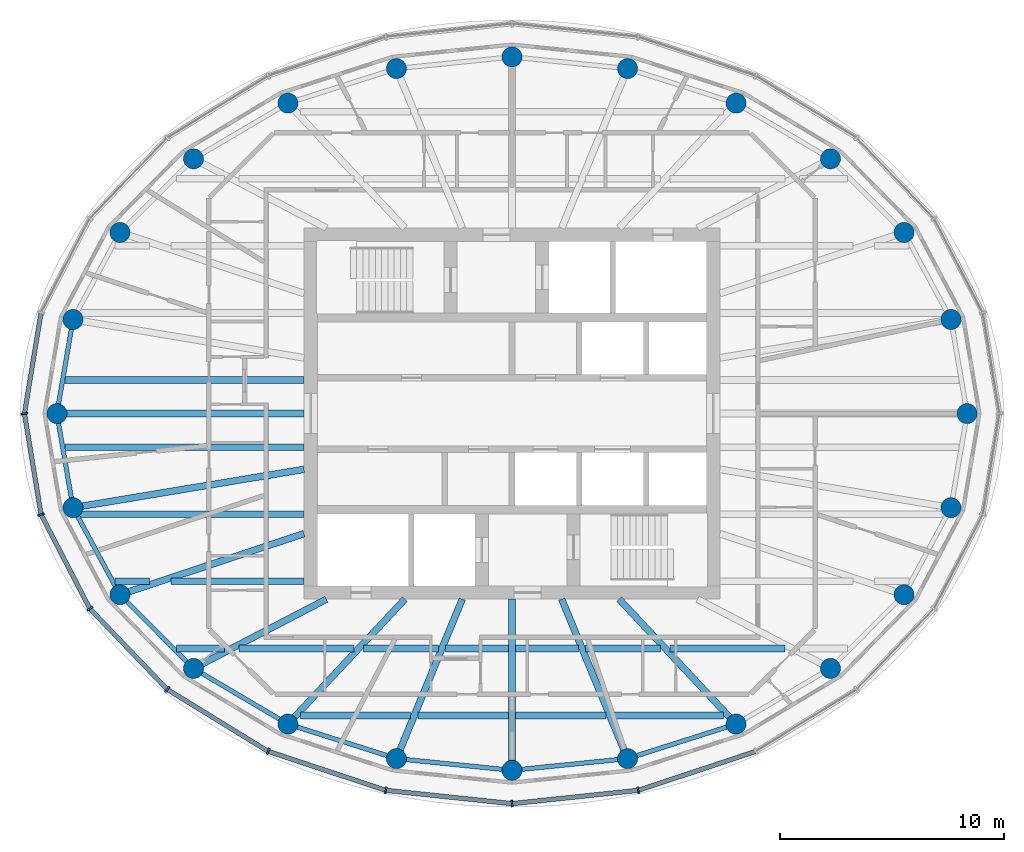
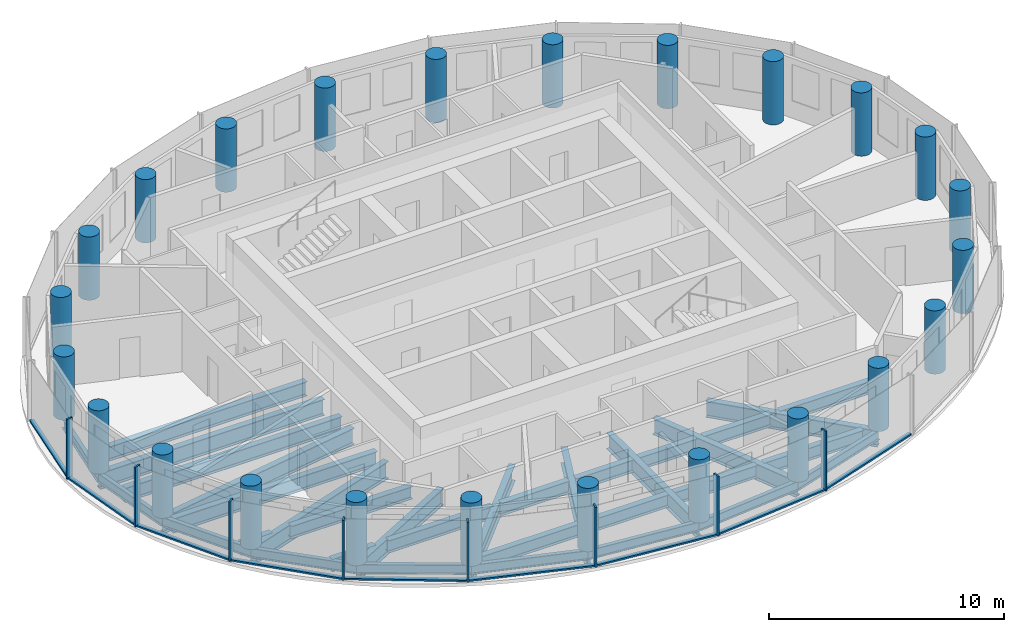
# One storey, part 1 of 11: 34 beams, 24 columns, 17 members, 3 elements without a shape of their own.
"""IFC4 building model written with IfcOpenShell, lengths in metres."""

from ifc_helpers import new_model, si_unit, direction, frame, origin, origin_2d, place, context, subcontext, project, spatial, rectangle, circle, i_section, extrude, material, material_profile, profile_set, type_object, element, aggregate, save


model = new_model("IFC4")

# Units and contexts
model_context = context("Model", 3, precision=1e-05, world=origin(), true_north=direction((0.0, 1.0)))
body_context = subcontext(model_context, "Body", "Model", "MODEL_VIEW")
ifc_project = project(units=[si_unit("LENGTHUNIT", "METRE"), si_unit("AREAUNIT", "SQUARE_METRE"), si_unit("VOLUMEUNIT", "CUBIC_METRE"), si_unit("PLANEANGLEUNIT", "RADIAN"), si_unit("MASSUNIT", "GRAM", prefix="KILO")], contexts=[model_context])

# Site, building, storey
site_placement = place(None, origin())
site = spatial("IfcSite", under=ifc_project, at=site_placement, CompositionType="ELEMENT")
building_placement = place(site_placement, origin())
building = spatial("IfcBuilding", under=site, at=building_placement, Name="Hankou Lantern Tower", CompositionType="ELEMENT")
storey_placement = place(building_placement, frame((0.0, 0.0, 196.199951171875)))
storey = spatial("IfcBuildingStorey", under=building, at=storey_placement, Name="L52", CompositionType="ELEMENT", Elevation=196.199951171875)

# Columns
ifc_material_1 = material(Name="Concrete C50", Category="concrete")
ifc_material_profile_1 = material_profile(ifc_material_1, circle(Radius=0.449951171875, at=origin_2d()), Name="RC D900")
ifc_profile_set_1 = profile_set([ifc_material_profile_1], Name="Concrete C50")
column_type = type_object("IfcColumnType", Name="TC5 PERIMETER COLUMN RC D900", PredefinedType="COLUMN", material=ifc_profile_set_1)
for number, where, z_axis, x_axis, name in (
    (1, (20.35009765625, 0.0, 0.0), (0.0, 0.0, 1.0), (1.0, 0.0, 0.0), "Column R01 L52"),
    (2, (19.629150390625, 4.207763671875, 0.0), (0.0, 0.0, 1.0), (1.0, 0.0, 0.0), "Column R02 L52"),
    (3, (17.5322265625, 8.097900390625, 0.0), (0.0, 0.0, 1.0), (1.0, 0.0, 0.0), "Column R03 L52"),
    (4, (14.241455078125, 11.393310546875, 0.0), (0.0, 0.0, 1.0), (1.0, 0.0, 0.0), "Column R04 L52"),
    (5, (10.01904296875, 13.8828125, 0.0), (0.0, 0.0, 1.0), (1.0, 0.0, 0.0), "Column R05 L52"),
    (6, (5.167236328125, 15.42724609375, 0.0), (0.0, 0.0, 1.0), (1.0, 0.0, 0.0), "Column R06 L52"),
    (7, (0.0, 15.949951171875, 0.0), (0.0, 0.0, 1.0), (1.0, 0.0, 0.0), "Column R07 L52"),
    (8, (-5.167236328125, 15.42724609375, 0.0), (0.0, 0.0, 1.0), (1.0, 0.0, 0.0), "Column R08 L52"),
    (9, (-10.01904296875, 13.8828125, 0.0), (0.0, 0.0, 1.0), (1.0, 0.0, 0.0), "Column R09 L52"),
    (10, (-14.241455078125, 11.393310546875, 0.0), (0.0, 0.0, 1.0), (1.0, 0.0, 0.0), "Column R10 L52"),
    (11, (-17.5322265625, 8.097900390625, 0.0), (0.0, 0.0, 1.0), (1.0, 0.0, 0.0), "Column R11 L52"),
    (12, (-19.629150390625, 4.207763671875, 0.0), (0.0, 0.0, 1.0), (1.0, 0.0, 0.0), "Column R12 L52"),
    (13, (-20.35009765625, 0.0, 0.0), (0.0, 0.0, 1.0), (1.0, 0.0, 0.0), "Column R13 L52"),
    (14, (-19.629150390625, -4.207763671875, 0.0), (0.0, 0.0, 1.0), (1.0, 0.0, 0.0), "Column R14 L52"),
    (15, (-17.5322265625, -8.097900390625, 0.0), (0.0, 0.0, 1.0), (1.0, 0.0, 0.0), "Column R15 L52"),
    (16, (-14.241455078125, -11.393310546875, 0.0), (0.0, 0.0, 1.0), (1.0, 0.0, 0.0), "Column R16 L52"),
    (17, (-10.01904296875, -13.8828125, 0.0), (0.0, 0.0, 1.0), (1.0, 0.0, 0.0), "Column R17 L52"),
    (18, (-5.167236328125, -15.42724609375, 0.0), (0.0, 0.0, 1.0), (1.0, 0.0, 0.0), "Column R18 L52"),
    (19, (0.0, -15.949951171875, 0.0), (0.0, 0.0, 1.0), (1.0, 0.0, 0.0), "Column R19 L52"),
    (20, (5.167236328125, -15.42724609375, 0.0), (0.0, 0.0, 1.0), (1.0, 0.0, 0.0), "Column R20 L52"),
    (21, (10.01904296875, -13.8828125, 0.0), (0.0, 0.0, 1.0), (1.0, 0.0, 0.0), "Column R21 L52"),
    (22, (14.241455078125, -11.393310546875, 0.0), (0.0, 0.0, 1.0), (1.0, 0.0, 0.0), "Column R22 L52"),
    (23, (17.5322265625, -8.097900390625, 0.0), (0.0, 0.0, 1.0), (1.0, 0.0, 0.0), "Column R23 L52"),
    (24, (19.629150390625, -4.207763671875, 0.0), (0.0, 0.0, 1.0), (1.0, 0.0, 0.0), "Column R24 L52"),
):
    element("IfcColumn", number, at=place(storey_placement, frame(where, z_axis=z_axis, x_axis=x_axis)), inside=storey, type_object=column_type, Name=name, PredefinedType="COLUMN", context=body_context, shape_type="SweptSolid", body=[
        extrude(circle(Radius=0.449951171875, at=origin_2d()), origin(), (0.0, 0.0, 1.0), 3.300048828125),
    ])

# Beams
ifc_material_2 = material(Name="Steel Q355B", Category="steel")
ifc_material_profile_2 = material_profile(ifc_material_2, i_section(OverallWidth=0.199951171875, OverallDepth=0.5, WebThickness=0.010009765625, FlangeThickness=0.01611328125, FilletRadius=0.012939453125, at=origin_2d()), Name="HN500x200x10x16")
ifc_profile_set_2 = profile_set([ifc_material_profile_2], Name="Steel Q355B")
beam_type_1 = type_object("IfcBeamType", Name="EB5 RING BEAM HN500x200x10x16", PredefinedType="SPANDREL", material=ifc_profile_set_2)
for number, where, z_axis, x_axis, name in (
    (25, (-19.629150390625, 4.207763671875, -0.429931640625), (-0.168876512999, -0.98563721691, 0.0), (0.98563721691, -0.168876512999, 0.0), "Ring beam R12-R13 L52"),
    (26, (-20.35009765625, 0.0, -0.429931640625), (0.168876512999, -0.98563721691, 0.0), (0.98563721691, 0.168876512999, 0.0), "Ring beam R13-R14 L52"),
):
    element("IfcBeam", number, at=place(storey_placement, frame(where, z_axis=z_axis, x_axis=x_axis)), inside=storey, type_object=beam_type_1, Name=name, PredefinedType="SPANDREL", context=body_context, shape_type="SweptSolid", body=[
        extrude(i_section(OverallWidth=0.199951171875, OverallDepth=0.5, WebThickness=0.010009765625, FlangeThickness=0.01611328125, FilletRadius=0.012939453125, at=origin_2d()), origin(), (0.0, 0.0, 1.0), 4.26904296875),
    ])
beam_1_placement = place(storey_placement, frame((-19.629150390625, -4.207763671875, -0.429931640625), z_axis=(0.474491806611, -0.880259919262, 0.0), x_axis=(0.880259919262, 0.474491806611, 0.0)))
element("IfcBeam", 27, at=beam_1_placement, inside=storey, type_object=beam_type_1, Name="Ring beam R14-R15 L52", PredefinedType="SPANDREL", context=body_context, shape_type="SweptSolid", body=[
    extrude(i_section(OverallWidth=0.199951171875, OverallDepth=0.5, WebThickness=0.010009765625, FlangeThickness=0.01611328125, FilletRadius=0.012939453125, at=origin_2d()), origin(), (0.0, 0.0, 1.0), 4.419189453125),
])
beam_2_placement = place(storey_placement, frame((-17.5322265625, -8.097900390625, -0.429931640625), z_axis=(0.706608588034, -0.707604623583, 0.0), x_axis=(0.707604623583, 0.706608588034, 0.0)))
element("IfcBeam", 28, at=beam_2_placement, inside=storey, type_object=beam_type_1, Name="Ring beam R15-R16 L52", PredefinedType="SPANDREL", context=body_context, shape_type="SweptSolid", body=[
    extrude(i_section(OverallWidth=0.199951171875, OverallDepth=0.5, WebThickness=0.010009765625, FlangeThickness=0.01611328125, FilletRadius=0.012939453125, at=origin_2d()), origin(), (0.0, 0.0, 1.0), 4.6572265625),
])
beam_3_placement = place(storey_placement, frame((-14.241455078125, -11.393310546875, -0.429931640625), z_axis=(0.861422897323, -0.507888365655, 0.0), x_axis=(0.507888365655, 0.861422897323, 0.0)))
element("IfcBeam", 29, at=beam_3_placement, inside=storey, type_object=beam_type_1, Name="Ring beam R16-R17 L52", PredefinedType="SPANDREL", context=body_context, shape_type="SweptSolid", body=[
    extrude(i_section(OverallWidth=0.199951171875, OverallDepth=0.5, WebThickness=0.010009765625, FlangeThickness=0.01611328125, FilletRadius=0.012939453125, at=origin_2d()), origin(), (0.0, 0.0, 1.0), 4.901611328125),
])
beam_4_placement = place(storey_placement, frame((-10.01904296875, -13.8828125, -0.429931640625), z_axis=(0.952887359315, -0.303324381574, 0.0), x_axis=(0.303324381574, 0.952887359315, 0.0)))
element("IfcBeam", 30, at=beam_4_placement, inside=storey, type_object=beam_type_1, Name="Ring beam R17-R18 L52", PredefinedType="SPANDREL", context=body_context, shape_type="SweptSolid", body=[
    extrude(i_section(OverallWidth=0.199951171875, OverallDepth=0.5, WebThickness=0.010009765625, FlangeThickness=0.01611328125, FilletRadius=0.012939453125, at=origin_2d()), origin(), (0.0, 0.0, 1.0), 5.091796875),
])
for number, where, z_axis, x_axis, name in (
    (31, (-5.167236328125, -15.42724609375, -0.429931640625), (0.994922507736, -0.100643944676, 0.0), (0.100643944676, 0.994922507736, 0.0), "Ring beam R18-R19 L52"),
    (32, (0.0, -15.949951171875, -0.429931640625), (0.994922507736, 0.100643944676, 0.0), (-0.100643944676, 0.994922507736, 0.0), "Ring beam R19-R20 L52"),
):
    element("IfcBeam", number, at=place(storey_placement, frame(where, z_axis=z_axis, x_axis=x_axis)), inside=storey, type_object=beam_type_1, Name=name, PredefinedType="SPANDREL", context=body_context, shape_type="SweptSolid", body=[
        extrude(i_section(OverallWidth=0.199951171875, OverallDepth=0.5, WebThickness=0.010009765625, FlangeThickness=0.01611328125, FilletRadius=0.012939453125, at=origin_2d()), origin(), (0.0, 0.0, 1.0), 5.193603515625),
    ])
beam_5_placement = place(storey_placement, frame((5.167236328125, -15.42724609375, -0.429931640625), z_axis=(0.952887359315, 0.303324381574, 0.0), x_axis=(-0.303324381574, 0.952887359315, 0.0)))
element("IfcBeam", 33, at=beam_5_placement, inside=storey, type_object=beam_type_1, Name="Ring beam R20-R21 L52", PredefinedType="SPANDREL", context=body_context, shape_type="SweptSolid", body=[
    extrude(i_section(OverallWidth=0.199951171875, OverallDepth=0.5, WebThickness=0.010009765625, FlangeThickness=0.01611328125, FilletRadius=0.012939453125, at=origin_2d()), origin(), (0.0, 0.0, 1.0), 5.091796875),
])

# Curtain wall, members
ifc_material_3 = material(Name="Glass, dark grey tinted laminated", Category="glass")
curtain_wall_type = type_object("IfcCurtainWallType", Name="CWD OUTER SKIN SUITE", PredefinedType="USERDEFINED", material=ifc_material_3)
curtain_wall_1_placement = place(storey_placement, origin())
curtain_wall_1 = element("IfcCurtainWall", 34, at=curtain_wall_1_placement, inside=storey, type_object=curtain_wall_type, Name="CWD L52 OS3", ObjectType="OUTER SKIN SUITE", PredefinedType="USERDEFINED")
ifc_material_4 = material(Name="Aluminium, black anodised", Category="aluminium")
ifc_material_profile_3 = material_profile(ifc_material_4, rectangle(XDim=0.080078125, YDim=0.300048828125, at=origin_2d()), Name="MU1 80X300")
ifc_profile_set_3 = profile_set([ifc_material_profile_3], Name="Aluminium, black anodised")
member_type_1 = type_object("IfcMemberType", Name="MU1 OUTER SKIN MULLION 80X300", PredefinedType="MULLION", material=ifc_profile_set_3)
member_1_placement = place(storey_placement, frame((-21.800048828125, 0.0, 0.0), z_axis=(0.0, 0.0, 1.0), x_axis=(0.162381515188, -0.986728049427, 0.0)))
member_1 = element("IfcMember", 35, at=member_1_placement, type_object=member_type_1, Name="CWD mullion 1", PredefinedType="MULLION", context=body_context, shape_type="SweptSolid", body=[
    extrude(rectangle(XDim=0.080078125, YDim=0.300048828125, at=origin_2d()), origin(), (0.0, 0.0, 1.0), 3.1201171875),
])
member_2_placement = place(storey_placement, frame((-21.05712890625, -4.513916015625, 0.0), z_axis=(0.0, 0.0, 1.0), x_axis=(0.317595577365, -0.94822626479, 0.0)))
member_2 = element("IfcMember", 36, at=member_2_placement, type_object=member_type_1, Name="CWD mullion 2", PredefinedType="MULLION", context=body_context, shape_type="SweptSolid", body=[
    extrude(rectangle(XDim=0.080078125, YDim=0.300048828125, at=origin_2d()), origin(), (0.0, 0.0, 1.0), 3.1201171875),
])
member_3_placement = place(storey_placement, frame((-18.87939453125, -8.719970703125, 0.0), z_axis=(0.0, 0.0, 1.0), x_axis=(0.585205735974, -0.810884854084, 0.0)))
member_3 = element("IfcMember", 37, at=member_3_placement, type_object=member_type_1, Name="CWD mullion 3", PredefinedType="MULLION", context=body_context, shape_type="SweptSolid", body=[
    extrude(rectangle(XDim=0.080078125, YDim=0.300048828125, at=origin_2d()), origin(), (0.0, 0.0, 1.0), 3.1201171875),
])
member_4_placement = place(storey_placement, frame((-15.4150390625, -12.33203125, 0.0), z_axis=(0.0, 0.0, 1.0), x_axis=(0.780868809444, -0.624695047553, 0.0)))
member_4 = element("IfcMember", 38, at=member_4_placement, type_object=member_type_1, Name="CWD mullion 4", PredefinedType="MULLION", context=body_context, shape_type="SweptSolid", body=[
    extrude(rectangle(XDim=0.080078125, YDim=0.300048828125, at=origin_2d()), origin(), (0.0, 0.0, 1.0), 3.1201171875),
])
member_5_placement = place(storey_placement, frame((-10.89990234375, -15.103515625, 0.0), z_axis=(0.0, 0.0, 1.0), x_axis=(0.907841299004, -0.419313934686, 0.0)))
member_5 = element("IfcMember", 39, at=member_5_placement, type_object=member_type_1, Name="CWD mullion 5", PredefinedType="MULLION", context=body_context, shape_type="SweptSolid", body=[
    extrude(rectangle(XDim=0.080078125, YDim=0.300048828125, at=origin_2d()), origin(), (0.0, 0.0, 1.0), 3.1201171875),
])
member_6_placement = place(storey_placement, frame((-5.642333984375, -16.845703125, 0.0), z_axis=(0.0, 0.0, 1.0), x_axis=(0.977787659625, -0.209597931016, 0.0)))
member_6 = element("IfcMember", 40, at=member_6_placement, type_object=member_type_1, Name="CWD mullion 6", PredefinedType="MULLION", context=body_context, shape_type="SweptSolid", body=[
    extrude(rectangle(XDim=0.080078125, YDim=0.300048828125, at=origin_2d()), origin(), (0.0, 0.0, 1.0), 3.1201171875),
])

curtain_wall_2_placement = place(storey_placement, origin())
curtain_wall_2 = element("IfcCurtainWall", 41, at=curtain_wall_2_placement, inside=storey, type_object=curtain_wall_type, Name="CWD L52 OS4", ObjectType="OUTER SKIN SUITE", PredefinedType="USERDEFINED")
member_7_placement = place(storey_placement, frame((0.0, -17.43994140625, 0.0), z_axis=(0.0, 0.0, 1.0), x_axis=(0.994499359107, 0.104742659579, 0.0)))
member_7 = element("IfcMember", 42, at=member_7_placement, type_object=member_type_1, Name="CWD mullion 1", PredefinedType="MULLION", context=body_context, shape_type="SweptSolid", body=[
    extrude(rectangle(XDim=0.080078125, YDim=0.300048828125, at=origin_2d()), origin(), (0.0, 0.0, 1.0), 3.1201171875),
])
member_8_placement = place(storey_placement, frame((5.642333984375, -16.845703125, 0.0), z_axis=(0.0, 0.0, 1.0), x_axis=(0.977787659625, 0.209597931016, 0.0)))
member_8 = element("IfcMember", 43, at=member_8_placement, type_object=member_type_1, Name="CWD mullion 2", PredefinedType="MULLION", context=body_context, shape_type="SweptSolid", body=[
    extrude(rectangle(XDim=0.080078125, YDim=0.300048828125, at=origin_2d()), origin(), (0.0, 0.0, 1.0), 3.1201171875),
])

# Beams
ifc_material_5 = material(Name="Steel Q355B", Category="steel")
ifc_material_profile_4 = material_profile(ifc_material_5, i_section(OverallWidth=0.300048828125, OverallDepth=0.85009765625, WebThickness=0.01611328125, FlangeThickness=0.027099609375, FilletRadius=0.01806640625, at=origin_2d()), Name="HN850x300x16x27")
ifc_profile_set_4 = profile_set([ifc_material_profile_4], Name="Steel Q355B")
beam_type_2 = type_object("IfcBeamType", Name="RB12 RADIAL BEAM HN850x300x16x27", PredefinedType="BEAM", material=ifc_profile_set_4)
beam_6_placement = place(storey_placement, frame((-9.300048828125, 0.0, -0.60498046875), z_axis=(-1.0, 0.0, 0.0), x_axis=(0.0, -1.0, 0.0)))
element("IfcBeam", 44, at=beam_6_placement, inside=storey, type_object=beam_type_2, Name="Radial beam R13 L52", PredefinedType="BEAM", context=body_context, shape_type="SweptSolid", body=[
    extrude(i_section(OverallWidth=0.300048828125, OverallDepth=0.85009765625, WebThickness=0.01611328125, FlangeThickness=0.027099609375, FilletRadius=0.01806640625, at=origin_2d()), origin(), (0.0, 0.0, 1.0), 11.050048828125),
])
beam_7_placement = place(storey_placement, frame((-9.300048828125, -2.491943359375, -0.60498046875), z_axis=(-0.986482007061, -0.163869612027, 0.0), x_axis=(0.163869612027, -0.986482007061, 0.0)))
element("IfcBeam", 45, at=beam_7_placement, inside=storey, type_object=beam_type_2, Name="Radial beam R14 L52", PredefinedType="BEAM", context=body_context, shape_type="SweptSolid", body=[
    extrude(i_section(OverallWidth=0.300048828125, OverallDepth=0.85009765625, WebThickness=0.01611328125, FlangeThickness=0.027099609375, FilletRadius=0.01806640625, at=origin_2d()), origin(), (0.0, 0.0, 1.0), 10.470703125),
])
beam_8_placement = place(storey_placement, frame((-8.300048828125, -8.300048828125, -0.60498046875), z_axis=(-0.886988734783, -0.461791061378, 0.0), x_axis=(0.461791061378, -0.886988734783, 0.0)))
element("IfcBeam", 46, at=beam_8_placement, inside=storey, type_object=beam_type_2, Name="Radial beam R16 L52", PredefinedType="BEAM", context=body_context, shape_type="SweptSolid", body=[
    extrude(i_section(OverallWidth=0.300048828125, OverallDepth=0.85009765625, WebThickness=0.01611328125, FlangeThickness=0.027099609375, FilletRadius=0.01806640625, at=origin_2d()), origin(), (0.0, 0.0, 1.0), 6.698486328125),
])
beam_9_placement = place(storey_placement, frame((-4.7919921875, -8.300048828125, -0.60498046875), z_axis=(-0.68346844743, -0.729980055459, 0.0), x_axis=(0.729980055459, -0.68346844743, 0.0)))
element("IfcBeam", 47, at=beam_9_placement, inside=storey, type_object=beam_type_2, Name="Radial beam R17 L52", PredefinedType="BEAM", context=body_context, shape_type="SweptSolid", body=[
    extrude(i_section(OverallWidth=0.300048828125, OverallDepth=0.85009765625, WebThickness=0.01611328125, FlangeThickness=0.027099609375, FilletRadius=0.01806640625, at=origin_2d()), origin(), (0.0, 0.0, 1.0), 7.64794921875),
])
beam_10_placement = place(storey_placement, frame((-2.223876953125, -8.300048828125, -0.60498046875), z_axis=(-0.381706648123, -0.924283525104, 0.0), x_axis=(0.924283525104, -0.381706648123, 0.0)))
element("IfcBeam", 48, at=beam_10_placement, inside=storey, type_object=beam_type_2, Name="Radial beam R18 L52", PredefinedType="BEAM", context=body_context, shape_type="SweptSolid", body=[
    extrude(i_section(OverallWidth=0.300048828125, OverallDepth=0.85009765625, WebThickness=0.01611328125, FlangeThickness=0.027099609375, FilletRadius=0.01806640625, at=origin_2d()), origin(), (0.0, 0.0, 1.0), 7.7109375),
])
beam_11_placement = place(storey_placement, frame((0.0, -8.300048828125, -0.60498046875), z_axis=(0.0, -1.0, 0.0), x_axis=(1.0, 0.0, 0.0)))
element("IfcBeam", 49, at=beam_11_placement, inside=storey, type_object=beam_type_2, Name="Radial beam R19 L52", PredefinedType="BEAM", context=body_context, shape_type="SweptSolid", body=[
    extrude(i_section(OverallWidth=0.300048828125, OverallDepth=0.85009765625, WebThickness=0.01611328125, FlangeThickness=0.027099609375, FilletRadius=0.01806640625, at=origin_2d()), origin(), (0.0, 0.0, 1.0), 7.64990234375),
])
beam_12_placement = place(storey_placement, frame((2.223876953125, -8.300048828125, -0.60498046875), z_axis=(0.381706648123, -0.924283525104, 0.0), x_axis=(0.924283525104, 0.381706648123, 0.0)))
element("IfcBeam", 50, at=beam_12_placement, inside=storey, type_object=beam_type_2, Name="Radial beam R20 L52", PredefinedType="BEAM", context=body_context, shape_type="SweptSolid", body=[
    extrude(i_section(OverallWidth=0.300048828125, OverallDepth=0.85009765625, WebThickness=0.01611328125, FlangeThickness=0.027099609375, FilletRadius=0.01806640625, at=origin_2d()), origin(), (0.0, 0.0, 1.0), 7.7109375),
])
beam_13_placement = place(storey_placement, frame((4.7919921875, -8.300048828125, -0.60498046875), z_axis=(0.68346844743, -0.729980055459, 0.0), x_axis=(0.729980055459, 0.68346844743, 0.0)))
element("IfcBeam", 51, at=beam_13_placement, inside=storey, type_object=beam_type_2, Name="Radial beam R21 L52", PredefinedType="BEAM", context=body_context, shape_type="SweptSolid", body=[
    extrude(i_section(OverallWidth=0.300048828125, OverallDepth=0.85009765625, WebThickness=0.01611328125, FlangeThickness=0.027099609375, FilletRadius=0.01806640625, at=origin_2d()), origin(), (0.0, 0.0, 1.0), 7.64794921875),
])
ifc_material_6 = material(Name="Steel Q355B", Category="steel")
ifc_material_profile_5 = material_profile(ifc_material_6, i_section(OverallWidth=0.300048828125, OverallDepth=0.89990234375, WebThickness=0.01611328125, FlangeThickness=0.028076171875, FilletRadius=0.01806640625, at=origin_2d()), Name="HN900x300x16x28")
ifc_profile_set_5 = profile_set([ifc_material_profile_5], Name="Steel Q355B")
beam_type_3 = type_object("IfcBeamType", Name="RB13 RADIAL BEAM HN900x300x16x28", PredefinedType="BEAM", material=ifc_profile_set_5)
beam_14_placement = place(storey_placement, frame((-9.300048828125, -5.369384765625, -0.6298828125), z_axis=(-0.949219608576, -0.314614263337, 0.0), x_axis=(0.314614263337, -0.949219608576, 0.0)))
element("IfcBeam", 52, at=beam_14_placement, inside=storey, type_object=beam_type_3, Name="Radial beam R15 L52", PredefinedType="BEAM", context=body_context, shape_type="SweptSolid", body=[
    extrude(i_section(OverallWidth=0.300048828125, OverallDepth=0.89990234375, WebThickness=0.01611328125, FlangeThickness=0.028076171875, FilletRadius=0.01806640625, at=origin_2d()), origin(), (0.0, 0.0, 1.0), 8.672607421875),
])
ifc_material_7 = material(Name="Steel Q355B", Category="steel")
ifc_material_profile_6 = material_profile(ifc_material_7, i_section(OverallWidth=0.300048828125, OverallDepth=0.75, WebThickness=0.012939453125, FlangeThickness=0.02392578125, FilletRadius=0.01806640625, at=origin_2d()), Name="HN750x300x13x24")
ifc_profile_set_6 = profile_set([ifc_material_profile_6], Name="Steel Q355B")
beam_type_4 = type_object("IfcBeamType", Name="SB10 SECONDARY BEAM HN750x300x13x24", PredefinedType="JOIST", material=ifc_profile_set_6)
beam_15_placement = place(storey_placement, frame((-19.35791015625, -4.5, -0.554931640625), z_axis=(1.0, 0.0, 0.0), x_axis=(0.0, 1.0, 0.0)))
element("IfcBeam", 53, at=beam_15_placement, inside=storey, type_object=beam_type_4, Name="Floor joist J017 L52", PredefinedType="JOIST", context=body_context, shape_type="SweptSolid", body=[
    extrude(i_section(OverallWidth=0.300048828125, OverallDepth=0.75, WebThickness=0.012939453125, FlangeThickness=0.02392578125, FilletRadius=0.01806640625, at=origin_2d()), origin(), (0.0, 0.0, 1.0), 10.057861328125),
])
for number, where, z_axis, x_axis, name in (
    (54, (-19.991455078125, -1.5, -0.554931640625), (1.0, 0.0, 0.0), (0.0, 1.0, 0.0), "Floor joist J019 L52"),
    (55, (-19.991455078125, 1.5, -0.554931640625), (1.0, 0.0, 0.0), (0.0, 1.0, 0.0), "Floor joist J021 L52"),
):
    element("IfcBeam", number, at=place(storey_placement, frame(where, z_axis=z_axis, x_axis=x_axis)), inside=storey, type_object=beam_type_4, Name=name, PredefinedType="JOIST", context=body_context, shape_type="SweptSolid", body=[
        extrude(i_section(OverallWidth=0.300048828125, OverallDepth=0.75, WebThickness=0.012939453125, FlangeThickness=0.02392578125, FilletRadius=0.01806640625, at=origin_2d()), origin(), (0.0, 0.0, 1.0), 10.69140625),
    ])
ifc_material_8 = material(Name="Steel Q355B", Category="steel")
ifc_material_profile_7 = material_profile(ifc_material_8, i_section(OverallWidth=0.300048828125, OverallDepth=0.64990234375, WebThickness=0.010986328125, FlangeThickness=0.01708984375, FilletRadius=0.01806640625, at=origin_2d()), Name="HN650x300x11x17")
ifc_profile_set_7 = profile_set([ifc_material_profile_7], Name="Steel Q355B")
beam_type_5 = type_object("IfcBeamType", Name="SB8 SECONDARY BEAM HN650x300x11x17", PredefinedType="JOIST", material=ifc_profile_set_7)
beam_16_placement = place(storey_placement, frame((-9.455078125, -13.5, -0.5048828125), z_axis=(1.0, 0.0, 0.0), x_axis=(0.0, 1.0, 0.0)))
element("IfcBeam", 56, at=beam_16_placement, inside=storey, type_object=beam_type_5, Name="Floor joist J001 L52", PredefinedType="JOIST", context=body_context, shape_type="SweptSolid", body=[
    extrude(i_section(OverallWidth=0.300048828125, OverallDepth=0.64990234375, WebThickness=0.010986328125, FlangeThickness=0.01708984375, FilletRadius=0.01806640625, at=origin_2d()), origin(), (0.0, 0.0, 1.0), 4.92138671875),
])
for number, where, z_axis, x_axis, name in (
    (57, (-4.208984375, -13.5, -0.5048828125), (1.0, 0.0, 0.0), (0.0, 1.0, 0.0), "Floor joist J002 L52"),
    (58, (0.14990234375, -13.5, -0.5048828125), (1.0, 0.0, 0.0), (0.0, 1.0, 0.0), "Floor joist J003 L52"),
):
    element("IfcBeam", number, at=place(storey_placement, frame(where, z_axis=z_axis, x_axis=x_axis)), inside=storey, type_object=beam_type_5, Name=name, PredefinedType="JOIST", context=body_context, shape_type="SweptSolid", body=[
        extrude(i_section(OverallWidth=0.300048828125, OverallDepth=0.64990234375, WebThickness=0.010986328125, FlangeThickness=0.01708984375, FilletRadius=0.01806640625, at=origin_2d()), origin(), (0.0, 0.0, 1.0), 4.05908203125),
    ])
beam_17_placement = place(storey_placement, frame((4.53369140625, -13.5, -0.5048828125), z_axis=(1.0, 0.0, 0.0), x_axis=(0.0, 1.0, 0.0)))
element("IfcBeam", 59, at=beam_17_placement, inside=storey, type_object=beam_type_5, Name="Floor joist J004 L52", PredefinedType="JOIST", context=body_context, shape_type="SweptSolid", body=[
    extrude(i_section(OverallWidth=0.300048828125, OverallDepth=0.64990234375, WebThickness=0.010986328125, FlangeThickness=0.01708984375, FilletRadius=0.01806640625, at=origin_2d()), origin(), (0.0, 0.0, 1.0), 4.92138671875),
])
beam_18_placement = place(storey_placement, frame((-14.9921875, -10.5, -0.5048828125), z_axis=(1.0, 0.0, 0.0), x_axis=(0.0, 1.0, 0.0)))
element("IfcBeam", 60, at=beam_18_placement, inside=storey, type_object=beam_type_5, Name="Floor joist J005 L52", PredefinedType="JOIST", context=body_context, shape_type="SweptSolid", body=[
    extrude(i_section(OverallWidth=0.300048828125, OverallDepth=0.64990234375, WebThickness=0.010986328125, FlangeThickness=0.01708984375, FilletRadius=0.01806640625, at=origin_2d()), origin(), (0.0, 0.0, 1.0), 2.1416015625),
])
beam_19_placement = place(storey_placement, frame((-12.200927734375, -10.5, -0.5048828125), z_axis=(1.0, 0.0, 0.0), x_axis=(0.0, 1.0, 0.0)))
element("IfcBeam", 61, at=beam_19_placement, inside=storey, type_object=beam_type_5, Name="Floor joist J006 L52", PredefinedType="JOIST", context=body_context, shape_type="SweptSolid", body=[
    extrude(i_section(OverallWidth=0.300048828125, OverallDepth=0.64990234375, WebThickness=0.010986328125, FlangeThickness=0.01708984375, FilletRadius=0.01806640625, at=origin_2d()), origin(), (0.0, 0.0, 1.0), 5.1435546875),
])
beam_20_placement = place(storey_placement, frame((-6.646240234375, -10.5, -0.5048828125), z_axis=(1.0, 0.0, 0.0), x_axis=(0.0, 1.0, 0.0)))
element("IfcBeam", 62, at=beam_20_placement, inside=storey, type_object=beam_type_5, Name="Floor joist J007 L52", PredefinedType="JOIST", context=body_context, shape_type="SweptSolid", body=[
    extrude(i_section(OverallWidth=0.300048828125, OverallDepth=0.64990234375, WebThickness=0.010986328125, FlangeThickness=0.01708984375, FilletRadius=0.01806640625, at=origin_2d()), origin(), (0.0, 0.0, 1.0), 3.3515625),
])
for number, where, z_axis, x_axis, name in (
    (63, (-2.97021484375, -10.5, -0.5048828125), (1.0, 0.0, 0.0), (0.0, 1.0, 0.0), "Floor joist J008 L52"),
    (64, (0.14990234375, -10.5, -0.5048828125), (1.0, 0.0, 0.0), (0.0, 1.0, 0.0), "Floor joist J009 L52"),
):
    element("IfcBeam", number, at=place(storey_placement, frame(where, z_axis=z_axis, x_axis=x_axis)), inside=storey, type_object=beam_type_5, Name=name, PredefinedType="JOIST", context=body_context, shape_type="SweptSolid", body=[
        extrude(i_section(OverallWidth=0.300048828125, OverallDepth=0.64990234375, WebThickness=0.010986328125, FlangeThickness=0.01708984375, FilletRadius=0.01806640625, at=origin_2d()), origin(), (0.0, 0.0, 1.0), 2.8203125),
    ])
beam_21_placement = place(storey_placement, frame((3.294677734375, -10.5, -0.5048828125), z_axis=(1.0, 0.0, 0.0), x_axis=(0.0, 1.0, 0.0)))
element("IfcBeam", 65, at=beam_21_placement, inside=storey, type_object=beam_type_5, Name="Floor joist J010 L52", PredefinedType="JOIST", context=body_context, shape_type="SweptSolid", body=[
    extrude(i_section(OverallWidth=0.300048828125, OverallDepth=0.64990234375, WebThickness=0.010986328125, FlangeThickness=0.01708984375, FilletRadius=0.01806640625, at=origin_2d()), origin(), (0.0, 0.0, 1.0), 3.3515625),
])
beam_22_placement = place(storey_placement, frame((7.057373046875, -10.5, -0.5048828125), z_axis=(1.0, 0.0, 0.0), x_axis=(0.0, 1.0, 0.0)))
element("IfcBeam", 66, at=beam_22_placement, inside=storey, type_object=beam_type_5, Name="Floor joist J011 L52", PredefinedType="JOIST", context=body_context, shape_type="SweptSolid", body=[
    extrude(i_section(OverallWidth=0.300048828125, OverallDepth=0.64990234375, WebThickness=0.010986328125, FlangeThickness=0.01708984375, FilletRadius=0.01806640625, at=origin_2d()), origin(), (0.0, 0.0, 1.0), 5.1435546875),
])
beam_23_placement = place(storey_placement, frame((-17.740966796875, -7.5, -0.5048828125), z_axis=(1.0, 0.0, 0.0), x_axis=(0.0, 1.0, 0.0)))
element("IfcBeam", 67, at=beam_23_placement, inside=storey, type_object=beam_type_5, Name="Floor joist J013 L52", PredefinedType="JOIST", context=body_context, shape_type="SweptSolid", body=[
    extrude(i_section(OverallWidth=0.300048828125, OverallDepth=0.64990234375, WebThickness=0.010986328125, FlangeThickness=0.01708984375, FilletRadius=0.01806640625, at=origin_2d()), origin(), (0.0, 0.0, 1.0), 1.53564453125),
])
beam_24_placement = place(storey_placement, frame((-15.251708984375, -7.5, -0.5048828125), z_axis=(1.0, 0.0, 0.0), x_axis=(0.0, 1.0, 0.0)))
element("IfcBeam", 68, at=beam_24_placement, inside=storey, type_object=beam_type_5, Name="Floor joist J014 L52", PredefinedType="JOIST", context=body_context, shape_type="SweptSolid", body=[
    extrude(i_section(OverallWidth=0.300048828125, OverallDepth=0.64990234375, WebThickness=0.010986328125, FlangeThickness=0.01708984375, FilletRadius=0.01806640625, at=origin_2d()), origin(), (0.0, 0.0, 1.0), 5.95166015625),
])

# Curtain wall, member
curtain_wall_3_placement = place(storey_placement, origin())
curtain_wall_3 = element("IfcCurtainWall", 69, at=curtain_wall_3_placement, inside=storey, type_object=curtain_wall_type, Name="CWD L52 OS2", ObjectType="OUTER SKIN SUITE", PredefinedType="USERDEFINED")
ifc_material_9 = material(Name="Aluminium, black anodised", Category="aluminium")
ifc_material_profile_8 = material_profile(ifc_material_9, rectangle(XDim=0.199951171875, YDim=0.080078125, at=origin_2d()), Name="TR1 200X80")
ifc_profile_set_8 = profile_set([ifc_material_profile_8], Name="Aluminium, black anodised")
member_type_2 = type_object("IfcMemberType", Name="TR1 OUTER SKIN TRANSOM 200X80", PredefinedType="USERDEFINED", material=ifc_profile_set_8)
member_9_placement = place(storey_placement, frame((-21.063720703125, 4.474365234375, 0.0400390625), z_axis=(-0.162363822839, -0.986730960816, 0.0), x_axis=(0.986730960816, -0.162363822839, 0.0)))
member_9 = element("IfcMember", 70, at=member_9_placement, type_object=member_type_2, Name="CWD transom 6", ObjectType="TRANSOM", PredefinedType="USERDEFINED", context=body_context, shape_type="SweptSolid", body=[
    extrude(rectangle(XDim=0.199951171875, YDim=0.080078125, at=origin_2d()), origin(), (0.0, 0.0, 1.0), 4.494384765625),
])
aggregate(curtain_wall_3, [member_9])

# Member
member_10_placement = place(storey_placement, frame((-21.79345703125, -0.03955078125, 0.0400390625), z_axis=(0.162363822839, -0.986730960816, 0.0), x_axis=(0.986730960816, 0.162363822839, 0.0)))
member_10 = element("IfcMember", 71, at=member_10_placement, type_object=member_type_2, Name="CWD transom 1", ObjectType="TRANSOM", PredefinedType="USERDEFINED", context=body_context, shape_type="SweptSolid", body=[
    extrude(rectangle(XDim=0.199951171875, YDim=0.080078125, at=origin_2d()), origin(), (0.0, 0.0, 1.0), 4.494384765625),
])

member_11_placement = place(storey_placement, frame((-21.038818359375, -4.54931640625, 0.0400390625), z_axis=(0.45979371115, -0.888025755925, 0.0), x_axis=(0.888025755925, 0.45979371115, 0.0)))
member_11 = element("IfcMember", 72, at=member_11_placement, type_object=member_type_2, Name="CWD transom 2", ObjectType="TRANSOM", PredefinedType="USERDEFINED", context=body_context, shape_type="SweptSolid", body=[
    extrude(rectangle(XDim=0.199951171875, YDim=0.080078125, at=origin_2d()), origin(), (0.0, 0.0, 1.0), 4.65673828125),
])

member_12_placement = place(storey_placement, frame((-18.8515625, -8.748779296875, 0.0400390625), z_axis=(0.692204633274, -0.721701285626, 0.0), x_axis=(0.721701285626, 0.692204633274, 0.0)))
member_12 = element("IfcMember", 73, at=member_12_placement, type_object=member_type_2, Name="CWD transom 3", ObjectType="TRANSOM", PredefinedType="USERDEFINED", context=body_context, shape_type="SweptSolid", body=[
    extrude(rectangle(XDim=0.199951171875, YDim=0.080078125, at=origin_2d()), origin(), (0.0, 0.0, 1.0), 4.9248046875),
])

member_13_placement = place(storey_placement, frame((-15.380859375, -12.352783203125, 0.0400390625), z_axis=(0.852234544008, -0.523159900986, 0.0), x_axis=(0.523159900986, 0.852234544008, 0.0)))
member_13 = element("IfcMember", 74, at=member_13_placement, type_object=member_type_2, Name="CWD transom 4", ObjectType="TRANSOM", PredefinedType="USERDEFINED", context=body_context, shape_type="SweptSolid", body=[
    extrude(rectangle(XDim=0.199951171875, YDim=0.080078125, at=origin_2d()), origin(), (0.0, 0.0, 1.0), 5.2177734375),
])

member_14_placement = place(storey_placement, frame((-10.862060546875, -15.115966796875, 0.0400390625), z_axis=(0.949231947668, -0.314577032739, 0.0), x_axis=(0.314577032739, 0.949231947668, 0.0)))
member_14 = element("IfcMember", 75, at=member_14_placement, type_object=member_type_2, Name="CWD transom 5", ObjectType="TRANSOM", PredefinedType="USERDEFINED", context=body_context, shape_type="SweptSolid", body=[
    extrude(rectangle(XDim=0.199951171875, YDim=0.080078125, at=origin_2d()), origin(), (0.0, 0.0, 1.0), 5.458984375),
])

member_15_placement = place(storey_placement, frame((-5.6025390625, -16.849853515625, 0.0400390625), z_axis=(0.994498275726, -0.104752945435, 0.0), x_axis=(0.104752945435, 0.994498275726, 0.0)))
member_15 = element("IfcMember", 76, at=member_15_placement, type_object=member_type_2, Name="CWD transom 6", ObjectType="TRANSOM", PredefinedType="USERDEFINED", context=body_context, shape_type="SweptSolid", body=[
    extrude(rectangle(XDim=0.199951171875, YDim=0.080078125, at=origin_2d()), origin(), (0.0, 0.0, 1.0), 5.593505859375),
])

aggregate(curtain_wall_1, [member_1, member_2, member_3, member_4, member_5, member_6, member_10, member_11, member_12, member_13, member_14, member_15])

member_16_placement = place(storey_placement, frame((0.039794921875, -17.435791015625, 0.0400390625), z_axis=(0.994498275726, 0.104752945435, 0.0), x_axis=(-0.104752945435, 0.994498275726, 0.0)))
member_16 = element("IfcMember", 77, at=member_16_placement, type_object=member_type_2, Name="CWD transom 1", ObjectType="TRANSOM", PredefinedType="USERDEFINED", context=body_context, shape_type="SweptSolid", body=[
    extrude(rectangle(XDim=0.199951171875, YDim=0.080078125, at=origin_2d()), origin(), (0.0, 0.0, 1.0), 5.593505859375),
])

member_17_placement = place(storey_placement, frame((5.68017578125, -16.833251953125, 0.0400390625), z_axis=(0.949231947668, 0.314577032739, 0.0), x_axis=(-0.314577032739, 0.949231947668, 0.0)))
member_17 = element("IfcMember", 78, at=member_17_placement, type_object=member_type_2, Name="CWD transom 2", ObjectType="TRANSOM", PredefinedType="USERDEFINED", context=body_context, shape_type="SweptSolid", body=[
    extrude(rectangle(XDim=0.199951171875, YDim=0.080078125, at=origin_2d()), origin(), (0.0, 0.0, 1.0), 5.458984375),
])

aggregate(curtain_wall_2, [member_7, member_8, member_16, member_17])

save(model, "model.ifc")
